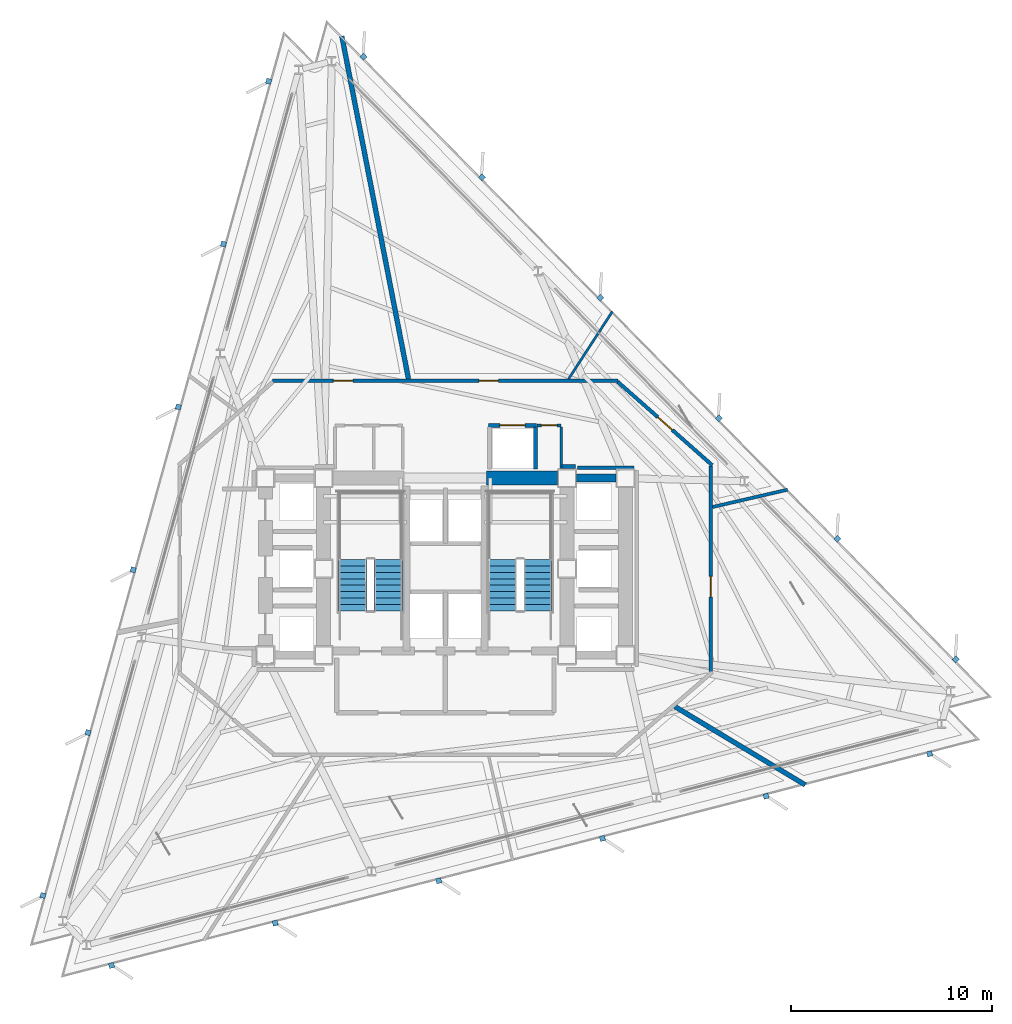
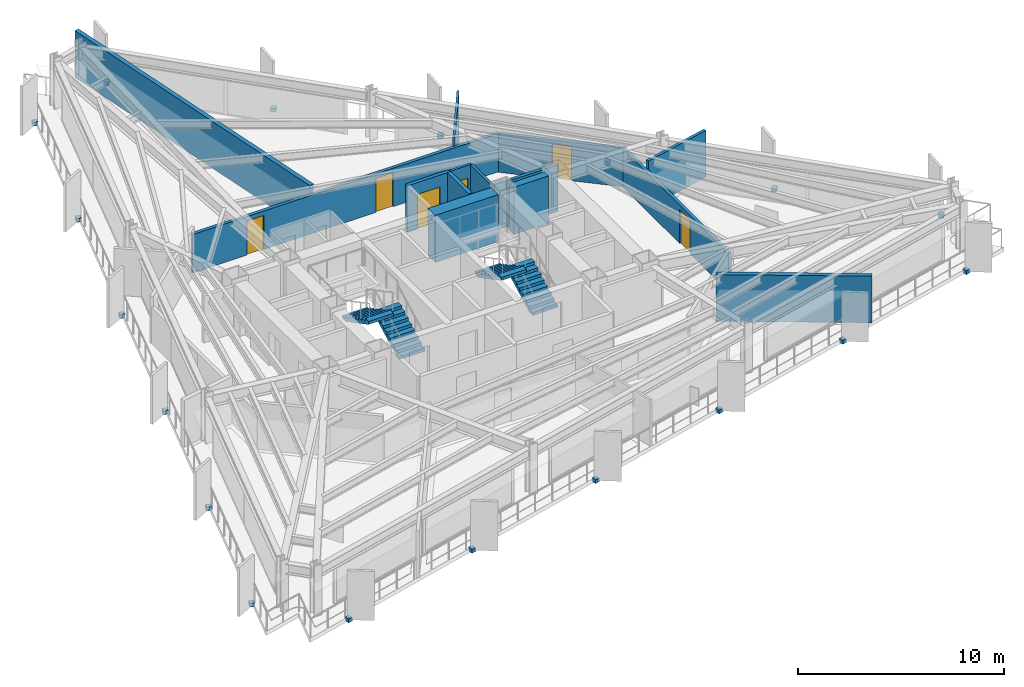
# One storey, part 8 of 11: 18 discrete accessories, 15 walls, 6 doors, 4 stair flights, 6 openings, 2 elements without a shape of their own.
"""IFC4 building model written with IfcOpenShell, lengths in metres."""

from ifc_helpers import new_model, si_unit, direction, frame, frame_2d, origin, origin_2d, place, context, subcontext, project, spatial, polyline, rectangle, outline, extrude, material, layer, layer_set, type_object, element, fill, aggregate, save


model = new_model("IFC4")

# Units and contexts
model_context = context("Model", 3, precision=1e-05, world=origin(), true_north=direction((0.0, 1.0)))
body_context = subcontext(model_context, "Body", "Model", "MODEL_VIEW")
ifc_project = project(units=[si_unit("LENGTHUNIT", "METRE"), si_unit("AREAUNIT", "SQUARE_METRE"), si_unit("VOLUMEUNIT", "CUBIC_METRE"), si_unit("PLANEANGLEUNIT", "RADIAN"), si_unit("MASSUNIT", "GRAM", prefix="KILO")], contexts=[model_context])

# Site, building, storey
site_placement = place(None, origin())
site = spatial("IfcSite", under=ifc_project, at=site_placement, CompositionType="ELEMENT")
building_placement = place(site_placement, origin())
building = spatial("IfcBuilding", under=site, at=building_placement, Name="Rocaltana Carrier Exchange", CompositionType="ELEMENT")
storey_placement = place(building_placement, frame((0.0, 0.0, 79.52001953125)))
storey = spatial("IfcBuildingStorey", under=building, at=storey_placement, Name="L24", CompositionType="ELEMENT", Elevation=79.52001953125)

# Walls
ifc_material_1 = material(Name="Double Acoustic Gypsum Partition", Category="gypsum")
ifc_layer_1 = layer(ifc_material_1, 0.159912109375)
ifc_layer_set_1 = layer_set([ifc_layer_1], Name="Double Acoustic Gypsum Partition")
wall_type_1 = type_object("IfcWallType", Name="Acoustic Studio Partition 160 EI60", PredefinedType="PARTITIONING", material=ifc_layer_set_1)
wall_1_placement = place(storey_placement, frame((13.280029296875, 3.06591796875, 0.0), z_axis=(0.0, 0.0, 1.0), x_axis=(0.974371849336, 0.224943324464, 0.0)))
element("IfcWall", 1, at=wall_1_placement, inside=storey, type_object=wall_type_1, Name="L24 Suite Divider Wall D5", PredefinedType="PARTITIONING", context=body_context, shape_type="SweptSolid", body=[
    extrude(rectangle(XDim=3.8291015625, YDim=0.159912109375, at=frame_2d((1.91455078125, 0.0))), origin(), (0.0, 0.0, 1.0), 2.762939453125),
])
ifc_material_2 = material(Name="Concrete C50/60", Category="concrete")
ifc_layer_2 = layer(ifc_material_2, 0.39990234375)
ifc_layer_set_2 = layer_set([ifc_layer_2], Name="Concrete C50/60")
wall_type_2 = type_object("IfcWallType", Name="Core Internal Shear Wall 400", PredefinedType="SHEAR", material=ifc_layer_set_2)
wall_2_placement = place(storey_placement, frame((6.52490234375, 4.5, 0.0), z_axis=(0.0, 0.0, 1.0), x_axis=(1.0, 0.0, 0.0)))
element("IfcWall", 2, at=wall_2_placement, inside=storey, type_object=wall_type_2, Name="L24 Core Shear Wall CW-EWN", PredefinedType="SHEAR", context=body_context, shape_type="SweptSolid", body=[
    extrude(rectangle(XDim=1.9501953125, YDim=0.39990234375, at=frame_2d((0.97509765625, 0.0))), origin(), (0.0, 0.0, 1.0), 2.7880859375),
])
ifc_material_3 = material(Name="Concrete C60/75", Category="concrete")
ifc_layer_3 = layer(ifc_material_3, 0.699951171875)
ifc_layer_set_3 = layer_set([ifc_layer_3], Name="Concrete C60/75")
wall_type_3 = type_object("IfcWallType", Name="Core Shear Wall 700", PredefinedType="SHEAR", material=ifc_layer_set_3)
wall_3_placement = place(storey_placement, frame((2.050048828125, 4.5, 0.0), z_axis=(0.0, 0.0, 1.0), x_axis=(1.0, 0.0, 0.0)))
element("IfcWall", 3, at=wall_3_placement, inside=storey, type_object=wall_type_3, Name="L24 Core Shear Wall CW-N2", PredefinedType="SHEAR", context=body_context, shape_type="SweptSolid", body=[
    extrude(rectangle(XDim=3.52490234375, YDim=0.699951171875, at=frame_2d((1.762451171875, 0.0))), origin(), (0.0, 0.0, 1.0), 2.7880859375),
])

# Wall, openings, doors
ifc_material_4 = material(Name="Gypsum & Steel Stud Partition", Category="steel")
ifc_layer_4 = layer(ifc_material_4, 0.179931640625)
ifc_layer_set_4 = layer_set([ifc_layer_4], Name="Gypsum & Steel Stud Partition")
wall_type_4 = type_object("IfcWallType", Name="Corridor Fire Partition 180 EI60", PredefinedType="PARTITIONING", material=ifc_layer_set_4)
wall_4_placement = place(storey_placement, frame((-8.590087890625, 9.35009765625, 0.0), z_axis=(0.0, 0.0, 1.0), x_axis=(1.0, 0.0, 0.0)))
wall_4 = element("IfcWall", 4, at=wall_4_placement, inside=storey, type_object=wall_type_4, Name="L24 Corridor Partition 1", PredefinedType="PARTITIONING", context=body_context, shape_type="SweptSolid", body=[
    extrude(rectangle(XDim=17.18017578125, YDim=0.179931640625, at=frame_2d((8.590087890625, 0.0))), origin(), (0.0, 0.0, 1.0), 2.277099609375),
])
opening_1_placement = place(wall_4_placement, frame((10.260986328125, 0.0, 0.0)))
opening_1 = element("IfcOpeningElement", 5, at=opening_1_placement, cuts=wall_4, Name="Opening D-RM098", PredefinedType="OPENING", context=body_context, shape_type="SweptSolid", body=[
    extrude(rectangle(XDim=0.9599609375, YDim=2.02001953125, at=frame_2d((0.47998046875, 1.010009765625))), frame((0.0, 0.099853515625, 0.0), z_axis=(0.0, -1.0, 0.0), x_axis=(1.0, 0.0, 0.0)), (0.0, 0.0, 1.0), 0.199951171875),
])
opening_2_placement = place(wall_4_placement, frame((3.02783203125, 0.0, 0.0)))
opening_2 = element("IfcOpeningElement", 6, at=opening_2_placement, cuts=wall_4, Name="Opening D-RM098", PredefinedType="OPENING", context=body_context, shape_type="SweptSolid", body=[
    extrude(rectangle(XDim=0.9599609375, YDim=2.02001953125, at=frame_2d((0.47998046875, 1.010009765625))), frame((0.0, 0.099853515625, 0.0), z_axis=(0.0, -1.0, 0.0), x_axis=(1.0, 0.0, 0.0)), (0.0, 0.0, 1.0), 0.199951171875),
])
ifc_material_5 = material(Name="Engineered Hardwood Timber", Category="wood")
door_type_1 = type_object("IfcDoorType", Name="Workspace Single Door 960x2020", OperationType="NOTDEFINED", PredefinedType="DOOR", material=ifc_material_5)
door_1_placement = place(opening_1_placement, origin())
door_1 = element("IfcDoor", 7, at=door_1_placement, inside=storey, type_object=door_type_1, Name="L24 Peering Conference Room Entrance Door", OperationType="SINGLE_SWING_LEFT", OverallHeight=2.02001953125, OverallWidth=0.9599609375, PredefinedType="DOOR", context=body_context, shape_type="SweptSolid", body=[
    extrude(rectangle(XDim=0.9599609375, YDim=2.02001953125, at=frame_2d((0.47998046875, 1.010009765625))), frame((0.0, 0.02490234375, 0.0), z_axis=(0.0, -1.0, 0.0), x_axis=(1.0, 0.0, 0.0)), (0.0, 0.0, 1.0), 0.050048828125),
])
fill(opening_1, door_1)
door_2_placement = place(opening_2_placement, origin())
door_2 = element("IfcDoor", 8, at=door_2_placement, inside=storey, type_object=door_type_1, Name="L24 Quiet Focus Lounge Entrance Door", OperationType="SINGLE_SWING_RIGHT", OverallHeight=2.02001953125, OverallWidth=0.9599609375, PredefinedType="DOOR", context=body_context, shape_type="SweptSolid", body=[
    extrude(rectangle(XDim=0.9599609375, YDim=2.02001953125, at=frame_2d((0.47998046875, 1.010009765625))), frame((0.0, 0.02490234375, 0.0), z_axis=(0.0, -1.0, 0.0), x_axis=(1.0, 0.0, 0.0)), (0.0, 0.0, 1.0), 0.050048828125),
])
fill(opening_2, door_2)

# Wall, opening, door
wall_5_placement = place(storey_placement, frame((8.5673828125, 9.290283203125, 0.0), z_axis=(0.0, 0.0, 1.0), x_axis=(0.749626463267, -0.66186113768, 0.0)))
wall_5 = element("IfcWall", 9, at=wall_5_placement, inside=storey, type_object=wall_type_4, Name="L24 Corridor Partition 2", PredefinedType="PARTITIONING", context=body_context, shape_type="SweptSolid", body=[
    extrude(rectangle(XDim=6.27001953125, YDim=0.179931640625, at=frame_2d((3.135009765625, 0.0))), origin(), (0.0, 0.0, 1.0), 2.277099609375),
])
opening_3_placement = place(wall_5_placement, frame((2.655029296875, 0.0, 0.0)))
opening_3 = element("IfcOpeningElement", 10, at=opening_3_placement, cuts=wall_5, Name="Opening D-RM098", PredefinedType="OPENING", context=body_context, shape_type="SweptSolid", body=[
    extrude(rectangle(XDim=0.9599609375, YDim=2.02001953125, at=frame_2d((0.47998046875, 1.010009765625))), frame((0.0, 0.099853515625, 0.0), z_axis=(0.0, -1.0, 0.0), x_axis=(1.0, 0.0, 0.0)), (0.0, 0.0, 1.0), 0.199951171875),
])
door_3_placement = place(opening_3_placement, origin())
door_3 = element("IfcDoor", 11, at=door_3_placement, inside=storey, type_object=door_type_1, Name="L24 Executive Peering Boardroom Entrance Door", OperationType="SINGLE_SWING_RIGHT", OverallHeight=2.02001953125, OverallWidth=0.9599609375, PredefinedType="DOOR", context=body_context, shape_type="SweptSolid", body=[
    extrude(rectangle(XDim=0.9599609375, YDim=2.02001953125, at=frame_2d((0.47998046875, 1.010009765625))), frame((0.0, 0.02490234375, 0.0), z_axis=(0.0, -1.0, 0.0), x_axis=(1.0, 0.0, 0.0)), (0.0, 0.0, 1.0), 0.050048828125),
])
fill(opening_3, door_3)

wall_6_placement = place(storey_placement, frame((13.199951171875, 5.110107421875, 0.0), z_axis=(0.0, 0.0, 1.0), x_axis=(0.0, -1.0, 0.0)))
wall_6 = element("IfcWall", 12, at=wall_6_placement, inside=storey, type_object=wall_type_4, Name="L24 Corridor Partition 3", PredefinedType="PARTITIONING", context=body_context, shape_type="SweptSolid", body=[
    extrude(rectangle(XDim=10.22021484375, YDim=0.179931640625, at=frame_2d((5.110107421875, 0.0))), origin(), (0.0, 0.0, 1.0), 2.277099609375),
])
opening_4_placement = place(wall_6_placement, frame((5.492919921875, 0.0, 0.0)))
opening_4 = element("IfcOpeningElement", 13, at=opening_4_placement, cuts=wall_6, Name="Opening D-LB104", PredefinedType="OPENING", context=body_context, shape_type="SweptSolid", body=[
    extrude(rectangle(XDim=1.02001953125, YDim=2.02001953125, at=frame_2d((0.510009765625, 1.010009765625))), frame((0.0, 0.099853515625, 0.0), z_axis=(0.0, -1.0, 0.0), x_axis=(1.0, 0.0, 0.0)), (0.0, 0.0, 1.0), 0.199951171875),
])
ifc_material_6 = material(Name="Powder-Coated Aluminium 6063-T6", Category="aluminium")
door_type_2 = type_object("IfcDoorType", Name="Laboratory Acoustic Door 1020x2020", OperationType="NOTDEFINED", PredefinedType="DOOR", material=ifc_material_6)
door_4_placement = place(opening_4_placement, origin())
door_4 = element("IfcDoor", 14, at=door_4_placement, inside=storey, type_object=door_type_2, Name="L24 Optical Switching Laboratory Entrance Door", OperationType="SINGLE_SWING_LEFT", OverallHeight=2.02001953125, OverallWidth=1.02001953125, PredefinedType="DOOR", context=body_context, shape_type="SweptSolid", body=[
    extrude(rectangle(XDim=1.02001953125, YDim=2.02001953125, at=frame_2d((0.510009765625, 1.010009765625))), frame((0.0, 0.02490234375, 0.0), z_axis=(0.0, -1.0, 0.0), x_axis=(1.0, 0.0, 0.0)), (0.0, 0.0, 1.0), 0.050048828125),
])
fill(opening_4, door_4)

# Walls
wall_7_placement = place(storey_placement, frame((9.3701171875, 5.010009765625, 0.0), z_axis=(0.0, 0.0, 1.0), x_axis=(-1.0, 0.0, 0.0)))
element("IfcWall", 15, at=wall_7_placement, inside=storey, type_object=wall_type_4, Name="L24 Corridor Partition 18", PredefinedType="PARTITIONING", context=body_context, shape_type="SweptSolid", body=[
    extrude(rectangle(XDim=2.807861328125, YDim=0.179931640625, at=frame_2d((1.40380859375, 0.0))), origin(), (0.0, 0.0, 1.0), 2.762939453125),
])
wall_8_placement = place(storey_placement, frame((6.469970703125, 5.080078125, 0.0), z_axis=(0.0, 0.0, 1.0), x_axis=(-1.0, 0.0, 0.0)))
element("IfcWall", 16, at=wall_8_placement, inside=storey, type_object=wall_type_4, Name="L24 Corridor Partition 19", PredefinedType="PARTITIONING", context=body_context, shape_type="SweptSolid", body=[
    extrude(rectangle(XDim=0.679931640625, YDim=0.179931640625, at=frame_2d((0.33984375, 0.0))), origin(), (0.0, 0.0, 1.0), 2.762939453125),
])
ifc_material_7 = material(Name="Aluminium 6063-T6 & Acoustic Glass", Category="aluminium")
ifc_layer_5 = layer(ifc_material_7, 0.114990234375)
ifc_layer_set_5 = layer_set([ifc_layer_5], Name="Aluminium 6063-T6 & Acoustic Glass")
wall_type_5 = type_object("IfcWallType", Name="Demountable Glazed Lab Partition 115", PredefinedType="MOVABLE", material=ifc_layer_set_5)
wall_9_placement = place(storey_placement, frame((6.123779296875, 9.429931640625, 0.0), z_axis=(0.0, 0.0, 1.0), x_axis=(0.544653909872, 0.838660907912, 0.0)))
element("IfcWall", 17, at=wall_9_placement, inside=storey, type_object=wall_type_5, Name="L24 Suite Divider Wall D6", PredefinedType="MOVABLE", context=body_context, shape_type="SweptSolid", body=[
    extrude(rectangle(XDim=4.00341796875, YDim=0.114990234375, at=frame_2d((2.001708984375, 0.0))), origin(), (0.0, 0.0, 1.0), 2.762939453125),
])
ifc_material_8 = material(Name="Acoustic Calcium Silicate Partition", Category="gypsum")
ifc_layer_6 = layer(ifc_material_8, 0.239990234375)
ifc_layer_set_6 = layer_set([ifc_layer_6], Name="Acoustic Calcium Silicate Partition")
wall_type_6 = type_object("IfcWallType", Name="Heavy Lab Partition 240 EI90", PredefinedType="PARTITIONING", material=ifc_layer_set_6)
wall_10_placement = place(storey_placement, frame((11.40478515625, -6.8525390625, 0.0), z_axis=(0.0, 0.0, 1.0), x_axis=(0.857165278127, -0.515041441025, 0.0)))
element("IfcWall", 18, at=wall_10_placement, inside=storey, type_object=wall_type_6, Name="L24 Suite Divider Wall D4", PredefinedType="PARTITIONING", context=body_context, shape_type="SweptSolid", body=[
    extrude(rectangle(XDim=7.56494140625, YDim=0.239990234375, at=frame_2d((3.782470703125, 0.0))), origin(), (0.0, 0.0, 1.0), 2.762939453125),
])
wall_11_placement = place(storey_placement, frame((-1.8330078125, 9.429931640625, 0.0), z_axis=(0.0, 0.0, 1.0), x_axis=(-0.190802669454, 0.981628413061, 0.0)))
element("IfcWall", 19, at=wall_11_placement, inside=storey, type_object=wall_type_6, Name="L24 Suite Divider Wall D7", PredefinedType="PARTITIONING", context=body_context, shape_type="SweptSolid", body=[
    extrude(rectangle(XDim=17.363525390625, YDim=0.239990234375, at=frame_2d((8.681640625, 0.0))), origin(), (0.0, 0.0, 1.0), 2.762939453125),
])
ifc_material_9 = material(Name="Reinforced Concrete Block C35/45", Category="concrete")
ifc_layer_7 = layer(ifc_material_9, 0.199951171875)
ifc_layer_set_7 = layer_set([ifc_layer_7], Name="Reinforced Concrete Block C35/45")
wall_type_7 = type_object("IfcWallType", Name="Lift Hoistway Enclosure Wall 200 EI120", PredefinedType="PARTITIONING", material=ifc_layer_set_7)
wall_12_placement = place(storey_placement, frame((4.47998046875, 4.949951171875, 0.0), z_axis=(0.0, 0.0, 1.0), x_axis=(0.0, 1.0, 0.0)))
element("IfcWall", 20, at=wall_12_placement, inside=storey, type_object=wall_type_7, Name="L24 Goods Lift East Wall", PredefinedType="PARTITIONING", context=body_context, shape_type="SweptSolid", body=[
    extrude(rectangle(XDim=2.10009765625, YDim=0.199951171875, at=frame_2d((1.050048828125, 0.0))), origin(), (0.0, 0.0, 1.0), 2.762939453125),
])

# Wall, opening, door
wall_13_placement = place(storey_placement, frame((2.14990234375, 7.1201171875, 0.0), z_axis=(0.0, 0.0, 1.0), x_axis=(1.0, 0.0, 0.0)))
wall_13 = element("IfcWall", 21, at=wall_13_placement, inside=storey, type_object=wall_type_7, Name="L24 Goods Lift Front Wall", PredefinedType="PARTITIONING", context=body_context, shape_type="SweptSolid", body=[
    extrude(rectangle(XDim=2.380126953125, YDim=0.199951171875, at=frame_2d((1.18994140625, 0.0))), origin(), (0.0, 0.0, 1.0), 2.762939453125),
])
opening_5_placement = place(wall_13_placement, frame((0.56005859375, 0.0, 0.0)))
opening_5 = element("IfcOpeningElement", 22, at=opening_5_placement, cuts=wall_13, Name="Opening LD-130", PredefinedType="OPENING", context=body_context, shape_type="SweptSolid", body=[
    extrude(rectangle(XDim=1.260009765625, YDim=2.06005859375, at=frame_2d((0.6298828125, 1.030029296875))), frame((0.0, 0.10986328125, 0.0), z_axis=(0.0, -1.0, 0.0), x_axis=(1.0, 0.0, 0.0)), (0.0, 0.0, 1.0), 0.219970703125),
])
ifc_material_10 = material(Name="Brushed Stainless Sliding Door Leaf", Category="steel")
door_type_3 = type_object("IfcDoorType", Name="Goods Lift Landing Sliding Door 1260x2060", OperationType="NOTDEFINED", PredefinedType="DOOR", material=ifc_material_10)
door_5_placement = place(opening_5_placement, origin())
door_5 = element("IfcDoor", 23, at=door_5_placement, inside=storey, type_object=door_type_3, Name="L24 Goods Lift GL-1 Landing Door", OperationType="SLIDING_TO_LEFT", OverallHeight=2.06005859375, OverallWidth=1.260009765625, PredefinedType="DOOR", context=body_context, shape_type="SweptSolid", body=[
    extrude(rectangle(XDim=1.260009765625, YDim=2.06005859375, at=frame_2d((0.6298828125, 1.030029296875))), frame((0.0, 0.02490234375, 0.0), z_axis=(0.0, -1.0, 0.0), x_axis=(1.0, 0.0, 0.0)), (0.0, 0.0, 1.0), 0.050048828125),
])
fill(opening_5, door_5)

# Wall
ifc_material_11 = material(Name="Moisture-Resistant Masonry C30/37", Category="masonry")
ifc_layer_8 = layer(ifc_material_11, 0.139892578125)
ifc_layer_set_8 = layer_set([ifc_layer_8], Name="Moisture-Resistant Masonry C30/37")
wall_type_8 = type_object("IfcWallType", Name="Wet-Area Sanitary Partition 140", PredefinedType="PARTITIONING", material=ifc_layer_set_8)
wall_14_placement = place(storey_placement, frame((5.760009765625, 4.949951171875, 0.0), z_axis=(0.0, 0.0, 1.0), x_axis=(0.0, 1.0, 0.0)))
element("IfcWall", 24, at=wall_14_placement, inside=storey, type_object=wall_type_8, Name="L24 Riser East Wall", PredefinedType="PARTITIONING", context=body_context, shape_type="SweptSolid", body=[
    extrude(rectangle(XDim=2.10009765625, YDim=0.139892578125, at=frame_2d((1.050048828125, 0.0))), origin(), (0.0, 0.0, 1.0), 2.762939453125),
])

# Wall, opening, door
wall_15_placement = place(storey_placement, frame((4.56005859375, 7.1201171875, 0.0), z_axis=(0.0, 0.0, 1.0), x_axis=(1.0, 0.0, 0.0)))
wall_15 = element("IfcWall", 25, at=wall_15_placement, inside=storey, type_object=wall_type_8, Name="L24 Riser North Wall", PredefinedType="PARTITIONING", context=body_context, shape_type="SweptSolid", body=[
    extrude(rectangle(XDim=1.199951171875, YDim=0.139892578125, at=frame_2d((0.60009765625, 0.0))), origin(), (0.0, 0.0, 1.0), 2.762939453125),
])
opening_6_placement = place(wall_15_placement, frame((0.2099609375, 0.0, 0.0)))
opening_6 = element("IfcOpeningElement", 26, at=opening_6_placement, cuts=wall_15, Name="Opening D-RS082", PredefinedType="OPENING", context=body_context, shape_type="SweptSolid", body=[
    extrude(rectangle(XDim=0.780029296875, YDim=2.010009765625, at=frame_2d((0.39013671875, 1.0048828125))), frame((0.0, 0.079833984375, 0.0), z_axis=(0.0, -1.0, 0.0), x_axis=(1.0, 0.0, 0.0)), (0.0, 0.0, 1.0), 0.159912109375),
])
ifc_material_12 = material(Name="Hollow Metal Access Door Leaf", Category="steel")
door_type_4 = type_object("IfcDoorType", Name="Riser & Service Closet Door 780x2010", OperationType="NOTDEFINED", PredefinedType="DOOR", material=ifc_material_12)
door_6_placement = place(opening_6_placement, origin())
door_6 = element("IfcDoor", 27, at=door_6_placement, inside=storey, type_object=door_type_4, Name="L24 Fibre Riser Closet Door", OperationType="SINGLE_SWING_LEFT", OverallHeight=2.010009765625, OverallWidth=0.780029296875, PredefinedType="DOOR", context=body_context, shape_type="SweptSolid", body=[
    extrude(rectangle(XDim=0.780029296875, YDim=2.010009765625, at=frame_2d((0.39013671875, 1.0048828125))), frame((0.0, 0.02490234375, 0.0), z_axis=(0.0, -1.0, 0.0), x_axis=(1.0, 0.0, 0.0)), (0.0, 0.0, 1.0), 0.050048828125),
])
fill(opening_6, door_6)

# Stair, stair flights
ifc_material_13 = material(Name="Precast concrete C45/55", Category="concrete")
stair_type = type_object("IfcStairType", Name="Standard Dog-Leg Stair 160", PredefinedType="HALF_TURN_STAIR", material=ifc_material_13)
stair_1_placement = place(storey_placement, origin())
stair_1 = element("IfcStair", 28, at=stair_1_placement, inside=storey, type_object=stair_type, Name="L24 Core West Exit Stair ST-1", PredefinedType="HALF_TURN_STAIR")
ifc_material_14 = material(Name="Precast concrete C45/55", Category="concrete")
stair_flight_type = type_object("IfcStairFlightType", Name="Precast Stair Flight 160", PredefinedType="STRAIGHT", material=ifc_material_14)
stair_flight_1_placement = place(storey_placement, frame((-2.840087890625, -2.10009765625, 0.0), z_axis=(0.0, 0.0, 1.0), x_axis=(0.0, 1.0, 0.0)))
stair_flight_1 = element("IfcStairFlight", 29, at=stair_flight_1_placement, type_object=stair_flight_type, Name="ST-1 flight 1", NumberOfRisers=9, NumberOfTreads=8, PredefinedType="STRAIGHT", RiserHeight=0.168888889, TreadLength=0.32, context=body_context, shape_type="SweptSolid", body=[
    extrude(outline(polyline([(0.0, 0.0), (0.0, 0.1689453125), (0.320068359375, 0.1689453125), (0.320068359375, 0.337890625), (0.639892578125, 0.337890625), (0.639892578125, 0.506591796875), (0.9599609375, 0.506591796875), (0.9599609375, 0.675537109375), (1.280029296875, 0.675537109375), (1.280029296875, 0.844482421875), (1.60009765625, 0.844482421875), (1.60009765625, 1.013427734375), (1.919921875, 1.013427734375), (1.919921875, 1.18212890625), (2.239990234375, 1.18212890625), (2.239990234375, 1.35107421875), (2.56005859375, 1.35107421875), (2.56005859375, 1.52001953125), (2.56005859375, 1.17041015625), (0.342529296875, 0.0), (0.0, 0.0)])), frame((0.0, 0.699951171875, 0.0), z_axis=(0.0, -1.0, 0.0), x_axis=(1.0, 0.0, 0.0)), (0.0, 0.0, 1.0), 1.39990234375),
])
stair_flight_2_placement = place(storey_placement, frame((-4.60009765625, 0.4599609375, 1.52001953125), z_axis=(0.0, 0.0, 1.0), x_axis=(0.0, -1.0, 0.0)))
stair_flight_2 = element("IfcStairFlight", 30, at=stair_flight_2_placement, type_object=stair_flight_type, Name="ST-1 flight 2", NumberOfRisers=9, NumberOfTreads=8, PredefinedType="STRAIGHT", RiserHeight=0.168888889, TreadLength=0.32, context=body_context, shape_type="SweptSolid", body=[
    extrude(outline(polyline([(0.0, 0.0), (0.0, 0.1689453125), (0.320068359375, 0.1689453125), (0.320068359375, 0.337890625), (0.639892578125, 0.337890625), (0.639892578125, 0.506591796875), (0.9599609375, 0.506591796875), (0.9599609375, 0.675537109375), (1.280029296875, 0.675537109375), (1.280029296875, 0.844482421875), (1.60009765625, 0.844482421875), (1.60009765625, 1.013427734375), (1.919921875, 1.013427734375), (1.919921875, 1.18212890625), (2.239990234375, 1.18212890625), (2.239990234375, 1.35107421875), (2.56005859375, 1.35107421875), (2.56005859375, 1.52001953125), (2.56005859375, 1.17041015625), (0.342529296875, 0.0), (0.0, 0.0)])), frame((0.0, 0.699951171875, 0.0), z_axis=(0.0, -1.0, 0.0), x_axis=(1.0, 0.0, 0.0)), (0.0, 0.0, 1.0), 1.39990234375),
])
aggregate(stair_1, [stair_flight_1, stair_flight_2])

stair_2_placement = place(storey_placement, origin())
stair_2 = element("IfcStair", 31, at=stair_2_placement, inside=storey, type_object=stair_type, Name="L24 Core East Exit Stair ST-2", PredefinedType="HALF_TURN_STAIR")
stair_flight_3_placement = place(storey_placement, frame((4.60009765625, -2.10009765625, 0.0), z_axis=(0.0, 0.0, 1.0), x_axis=(0.0, 1.0, 0.0)))
stair_flight_3 = element("IfcStairFlight", 32, at=stair_flight_3_placement, type_object=stair_flight_type, Name="ST-2 flight 1", NumberOfRisers=9, NumberOfTreads=8, PredefinedType="STRAIGHT", RiserHeight=0.168888889, TreadLength=0.32, context=body_context, shape_type="SweptSolid", body=[
    extrude(outline(polyline([(0.0, 0.0), (0.0, 0.1689453125), (0.320068359375, 0.1689453125), (0.320068359375, 0.337890625), (0.639892578125, 0.337890625), (0.639892578125, 0.506591796875), (0.9599609375, 0.506591796875), (0.9599609375, 0.675537109375), (1.280029296875, 0.675537109375), (1.280029296875, 0.844482421875), (1.60009765625, 0.844482421875), (1.60009765625, 1.013427734375), (1.919921875, 1.013427734375), (1.919921875, 1.18212890625), (2.239990234375, 1.18212890625), (2.239990234375, 1.35107421875), (2.56005859375, 1.35107421875), (2.56005859375, 1.52001953125), (2.56005859375, 1.17041015625), (0.342529296875, 0.0), (0.0, 0.0)])), frame((0.0, 0.699951171875, 0.0), z_axis=(0.0, -1.0, 0.0), x_axis=(1.0, 0.0, 0.0)), (0.0, 0.0, 1.0), 1.39990234375),
])
stair_flight_4_placement = place(storey_placement, frame((2.840087890625, 0.4599609375, 1.52001953125), z_axis=(0.0, 0.0, 1.0), x_axis=(0.0, -1.0, 0.0)))
stair_flight_4 = element("IfcStairFlight", 33, at=stair_flight_4_placement, type_object=stair_flight_type, Name="ST-2 flight 2", NumberOfRisers=9, NumberOfTreads=8, PredefinedType="STRAIGHT", RiserHeight=0.168888889, TreadLength=0.32, context=body_context, shape_type="SweptSolid", body=[
    extrude(outline(polyline([(0.0, 0.0), (0.0, 0.1689453125), (0.320068359375, 0.1689453125), (0.320068359375, 0.337890625), (0.639892578125, 0.337890625), (0.639892578125, 0.506591796875), (0.9599609375, 0.506591796875), (0.9599609375, 0.675537109375), (1.280029296875, 0.675537109375), (1.280029296875, 0.844482421875), (1.60009765625, 0.844482421875), (1.60009765625, 1.013427734375), (1.919921875, 1.013427734375), (1.919921875, 1.18212890625), (2.239990234375, 1.18212890625), (2.239990234375, 1.35107421875), (2.56005859375, 1.35107421875), (2.56005859375, 1.52001953125), (2.56005859375, 1.17041015625), (0.342529296875, 0.0), (0.0, 0.0)])), frame((0.0, 0.699951171875, 0.0), z_axis=(0.0, -1.0, 0.0), x_axis=(1.0, 0.0, 0.0)), (0.0, 0.0, 1.0), 1.39990234375),
])
aggregate(stair_2, [stair_flight_3, stair_flight_4])

# Discrete accessories
ifc_material_15 = material(Name="Brushed Architectural Stainless Metal", Category="steel")
ifc_layer_9 = layer(ifc_material_15, 0.219970703125)
ifc_layer_set_9 = layer_set([ifc_layer_9], Name="Brushed Architectural Stainless Metal")
discrete_accessory_type = type_object("IfcDiscreteAccessoryType", Name="Stainless Fin Slab-Edge Bracket 260x260x220", PredefinedType="BRACKET", material=ifc_layer_set_9)
for number, where, z_axis, x_axis, name in (
    (34, (25.371826171875, -4.509765625, -0.2099609375), (0.0, 0.0, 1.0), (-0.7009092643, 0.713250449154, 0.0), "L24 Sandstone Fin Edge Bracket F1-01"),
    (35, (19.484375, 1.481689453125, -0.2099609375), (0.0, 0.0, 1.0), (-0.7009092643, 0.713250449154, 0.0), "L24 Sandstone Fin Edge Bracket F1-02"),
    (36, (13.5966796875, 7.472900390625, -0.2099609375), (0.0, 0.0, 1.0), (-0.7009092643, 0.713250449154, 0.0), "L24 Sandstone Fin Edge Bracket F1-03"),
    (37, (7.708984375, 13.464111328125, -0.2099609375), (0.0, 0.0, 1.0), (-0.7009092643, 0.713250449154, 0.0), "L24 Sandstone Fin Edge Bracket F1-04"),
    (38, (1.8212890625, 19.45556640625, -0.2099609375), (0.0, 0.0, 1.0), (-0.7009092643, 0.713250449154, 0.0), "L24 Sandstone Fin Edge Bracket F1-05"),
    (39, (-4.066162109375, 25.44677734375, -0.2099609375), (0.0, 0.0, 1.0), (-0.7009092643, 0.713250449154, 0.0), "L24 Sandstone Fin Edge Bracket F1-06"),
    (40, (-8.780517578125, 24.2275390625, -0.2099609375), (0.0, 0.0, 1.0), (-0.267238376078, -0.963630453209, 0.0), "L24 Sandstone Fin Edge Bracket F2-01"),
    (41, (-11.025146484375, 16.133056640625, -0.2099609375), (0.0, 0.0, 1.0), (-0.267238376078, -0.963630453209, 0.0), "L24 Sandstone Fin Edge Bracket F2-02"),
    (42, (-13.27001953125, 8.03857421875, -0.2099609375), (0.0, 0.0, 1.0), (-0.267238376078, -0.963630453209, 0.0), "L24 Sandstone Fin Edge Bracket F2-03"),
    (43, (-15.514892578125, -0.055908203125, -0.2099609375), (0.0, 0.0, 1.0), (-0.267238376078, -0.963630453209, 0.0), "L24 Sandstone Fin Edge Bracket F2-04"),
    (44, (-17.759521484375, -8.150390625, -0.2099609375), (0.0, 0.0, 1.0), (-0.267238376078, -0.963630453209, 0.0), "L24 Sandstone Fin Edge Bracket F2-05"),
    (45, (-20.00439453125, -16.244873046875, -0.2099609375), (0.0, 0.0, 1.0), (-0.267238376078, -0.963630453209, 0.0), "L24 Sandstone Fin Edge Bracket F2-06"),
    (46, (-16.591552734375, -19.718017578125, -0.2099609375), (0.0, 0.0, 1.0), (0.968147640378, 0.250380004054, 0.0), "L24 Sandstone Fin Edge Bracket F3-01"),
    (47, (-8.458984375, -17.61474609375, -0.2099609375), (0.0, 0.0, 1.0), (0.968147640378, 0.250380004054, 0.0), "L24 Sandstone Fin Edge Bracket F3-02"),
    (48, (-0.32666015625, -15.511474609375, -0.2099609375), (0.0, 0.0, 1.0), (0.968147640378, 0.250380004054, 0.0), "L24 Sandstone Fin Edge Bracket F3-03"),
    (49, (7.805908203125, -13.408203125, -0.2099609375), (0.0, 0.0, 1.0), (0.968147640378, 0.250380004054, 0.0), "L24 Sandstone Fin Edge Bracket F3-04"),
    (50, (15.938232421875, -11.30517578125, -0.2099609375), (0.0, 0.0, 1.0), (0.968147640378, 0.250380004054, 0.0), "L24 Sandstone Fin Edge Bracket F3-05"),
    (51, (24.07080078125, -9.201904296875, -0.2099609375), (0.0, 0.0, 1.0), (0.968147640378, 0.250380004054, 0.0), "L24 Sandstone Fin Edge Bracket F3-06"),
):
    element("IfcDiscreteAccessory", number, at=place(storey_placement, frame(where, z_axis=z_axis, x_axis=x_axis)), inside=storey, type_object=discrete_accessory_type, Name=name, PredefinedType="BRACKET", context=body_context, shape_type="SweptSolid", body=[
        extrude(rectangle(XDim=0.260009765625, YDim=0.260009765625, at=origin_2d()), origin(), (0.0, 0.0, 1.0), 0.219970703125),
    ])

save(model, "model.ifc")
